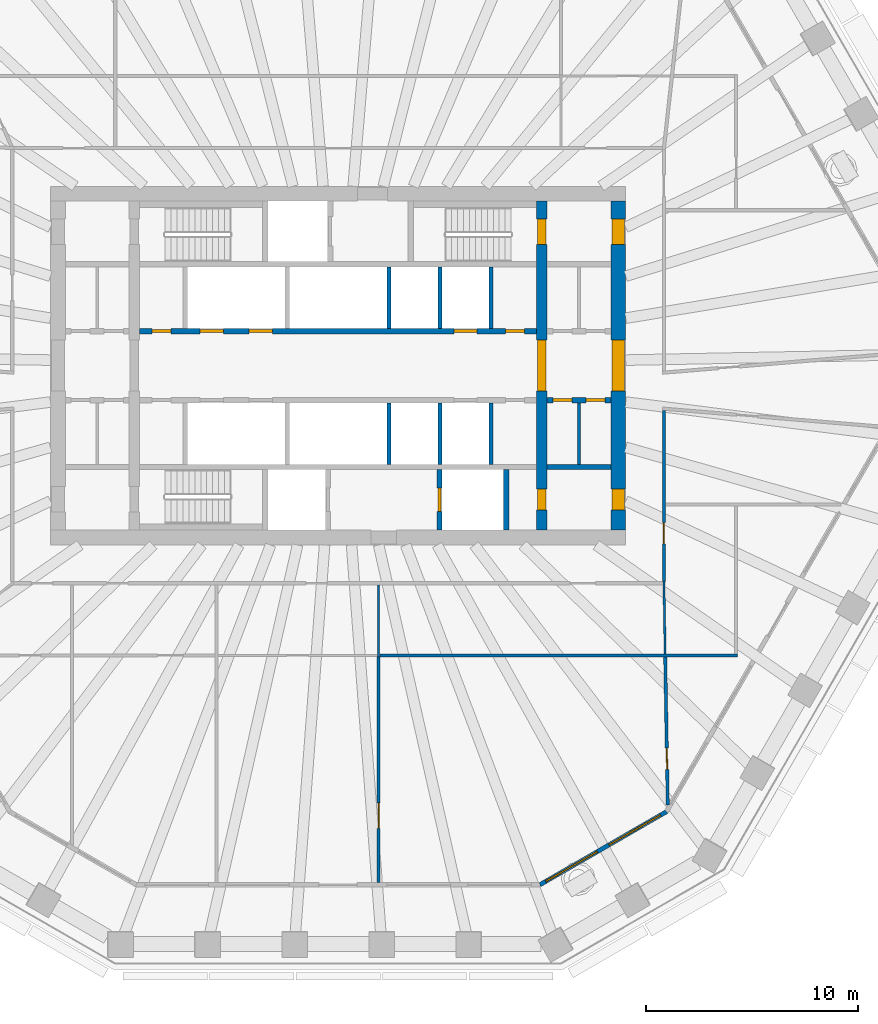
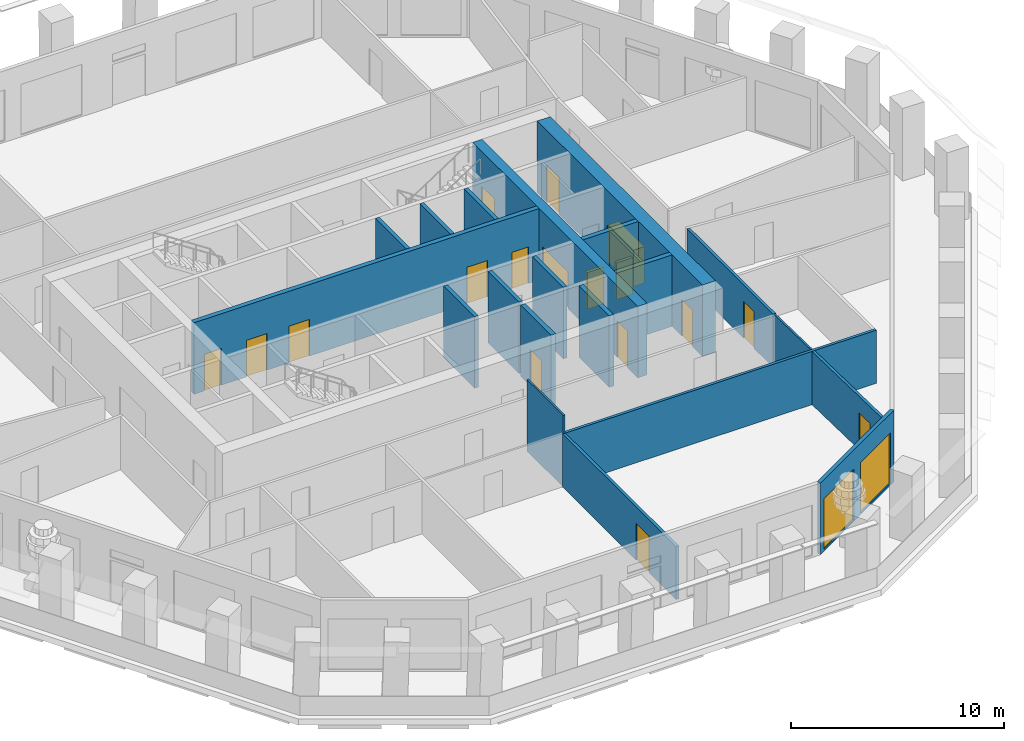
# One storey, part 5 of 12: 21 walls, 17 doors, 2 windows, 19 openings.
"""IFC4 building model written with IfcOpenShell, lengths in metres."""

from ifc_helpers import new_model, si_unit, direction, frame, frame_2d, origin, place, context, subcontext, project, spatial, polyline, rectangle, outline, extrude, material, layer, layer_set, type_object, element, fill, save


model = new_model("IFC4")

# Units and contexts
model_context = context("Model", 3, precision=1e-05, world=origin(), true_north=direction((0.0, 1.0)))
body_context = subcontext(model_context, "Body", "Model", "MODEL_VIEW")
ifc_project = project(units=[si_unit("LENGTHUNIT", "METRE"), si_unit("AREAUNIT", "SQUARE_METRE"), si_unit("VOLUMEUNIT", "CUBIC_METRE"), si_unit("PLANEANGLEUNIT", "RADIAN"), si_unit("MASSUNIT", "GRAM", prefix="KILO")], contexts=[model_context])

# Site, building, storey
site_placement = place(None, origin())
site = spatial("IfcSite", under=ifc_project, at=site_placement, CompositionType="ELEMENT")
building_placement = place(site_placement, origin())
building = spatial("IfcBuilding", under=site, at=building_placement, Name="Frailejon Research Tower", CompositionType="ELEMENT")
storey_placement = place(building_placement, frame((0.0, 0.0, 162.800048828125)))
storey = spatial("IfcBuildingStorey", under=building, at=storey_placement, Name="L35", CompositionType="ELEMENT", Elevation=162.800048828125)

# Wall
ifc_material_1 = material(Name="Plasterboard on steel studs", Category="steel")
ifc_layer_1 = layer(ifc_material_1, 0.125)
ifc_layer_set_1 = layer_set([ifc_layer_1], Name="Core partition 125")
wall_type_1 = type_object("IfcWallType", Name="Core partition 125", PredefinedType="PARTITIONING", material=ifc_layer_set_1)
wall_1_placement = place(storey_placement, frame((11.35009765625, -4.64990234375, 0.0), z_axis=(0.0, 0.0, 1.0), x_axis=(0.0, 1.0, 0.0)))
element("IfcWall", 1, at=wall_1_placement, inside=storey, type_object=wall_type_1, Name="Core partition", PredefinedType="PARTITIONING", context=body_context, shape_type="SweptSolid", body=[
    extrude(rectangle(XDim=2.89990234375, YDim=0.125, at=frame_2d((1.449951171875, 0.0))), origin(), (0.0, 0.0, 1.0), 4.099853515625),
])

# Wall, openings, doors
ifc_material_2 = material(Name="Concrete C60/75", Category="concrete")
ifc_layer_2 = layer(ifc_material_2, 0.5)
ifc_layer_set_2 = layer_set([ifc_layer_2], Name="Core shear wall 500 C60/75")
wall_type_2 = type_object("IfcWallType", Name="Core shear wall 500 C60/75", PredefinedType="SHEAR", material=ifc_layer_set_2)
wall_2_placement = place(storey_placement, frame((9.60009765625, -7.75, 0.0), z_axis=(0.0, 0.0, 1.0), x_axis=(0.0, 1.0, 0.0)))
wall_2 = element("IfcWall", 2, at=wall_2_placement, inside=storey, type_object=wall_type_2, Name="Core shear wall", PredefinedType="SHEAR", context=body_context, shape_type="SweptSolid", body=[
    extrude(rectangle(XDim=15.5, YDim=0.5, at=frame_2d((7.75, 0.0))), origin(), (0.0, 0.0, 1.0), 4.099853515625),
])
opening_1_placement = place(wall_2_placement, frame((6.550048828125, 0.0, 0.0)))
opening_1 = element("IfcOpeningElement", 3, at=opening_1_placement, cuts=wall_2, Name="Opening D2", PredefinedType="OPENING", context=body_context, shape_type="SweptSolid", body=[
    extrude(rectangle(XDim=2.39990234375, YDim=2.10009765625, at=frame_2d((1.199951171875, 1.050048828125))), frame((0.0, 0.260009765625, 0.0), z_axis=(0.0, -1.0, 0.0), x_axis=(1.0, 0.0, 0.0)), (0.0, 0.0, 1.0), 0.52001953125),
])
opening_2_placement = place(wall_2_placement, frame((13.449951171875, 0.0, 0.0)))
opening_2 = element("IfcOpeningElement", 4, at=opening_2_placement, cuts=wall_2, Name="Opening D1", PredefinedType="OPENING", context=body_context, shape_type="SweptSolid", body=[
    extrude(rectangle(XDim=1.199951171875, YDim=2.10009765625, at=frame_2d((0.60009765625, 1.050048828125))), frame((0.0, 0.260009765625, 0.0), z_axis=(0.0, -1.0, 0.0), x_axis=(1.0, 0.0, 0.0)), (0.0, 0.0, 1.0), 0.52001953125),
])
opening_3_placement = place(wall_2_placement, frame((0.949951171875, 0.0, 0.0)))
opening_3 = element("IfcOpeningElement", 5, at=opening_3_placement, cuts=wall_2, Name="Opening D4", PredefinedType="OPENING", context=body_context, shape_type="SweptSolid", body=[
    extrude(rectangle(XDim=1.0, YDim=2.10009765625, at=frame_2d((0.5, 1.050048828125))), frame((0.0, 0.260009765625, 0.0), z_axis=(0.0, -1.0, 0.0), x_axis=(1.0, 0.0, 0.0)), (0.0, 0.0, 1.0), 0.52001953125),
])
ifc_material_3 = material(Name="Steel", Category="steel")
door_type_1 = type_object("IfcDoorType", Name="Lobby double door", OperationType="DOUBLE_DOOR_SINGLE_SWING", PredefinedType="DOOR", material=ifc_material_3)
door_1_placement = place(opening_1_placement, origin())
door_1 = element("IfcDoor", 6, at=door_1_placement, inside=storey, type_object=door_type_1, Name="Lobby door", OperationType="DOUBLE_DOOR_SINGLE_SWING", OverallHeight=2.10009765625, OverallWidth=2.39990234375, PredefinedType="DOOR", context=body_context, shape_type="SweptSolid", body=[
    extrude(rectangle(XDim=2.39990234375, YDim=2.10009765625, at=frame_2d((1.199951171875, 1.050048828125))), frame((0.0, 0.199951171875, 0.0), z_axis=(0.0, -1.0, 0.0), x_axis=(1.0, 0.0, 0.0)), (0.0, 0.0, 1.0), 0.39990234375),
])
fill(opening_1, door_1)
ifc_material_4 = material(Name="Steel", Category="steel")
door_type_2 = type_object("IfcDoorType", Name="Service door", OperationType="SINGLE_SWING_LEFT", PredefinedType="DOOR", material=ifc_material_4)
door_2_placement = place(opening_3_placement, origin())
door_2 = element("IfcDoor", 7, at=door_2_placement, inside=storey, type_object=door_type_2, Name="Riser door", OperationType="SINGLE_SWING_LEFT", OverallHeight=2.10009765625, OverallWidth=1.0, PredefinedType="DOOR", context=body_context, shape_type="SweptSolid", body=[
    extrude(rectangle(XDim=1.0, YDim=2.10009765625, at=frame_2d((0.5, 1.050048828125))), frame((0.0, 0.199951171875, 0.0), z_axis=(0.0, -1.0, 0.0), x_axis=(1.0, 0.0, 0.0)), (0.0, 0.0, 1.0), 0.39990234375),
])
fill(opening_3, door_2)
ifc_material_5 = material(Name="Steel", Category="steel")
door_type_3 = type_object("IfcDoorType", Name="Stair door", OperationType="SINGLE_SWING_LEFT", PredefinedType="DOOR", material=ifc_material_5)
door_3_placement = place(opening_2_placement, origin())
door_3 = element("IfcDoor", 8, at=door_3_placement, inside=storey, type_object=door_type_3, Name="Stair door ST3", OperationType="SINGLE_SWING_LEFT", OverallHeight=2.10009765625, OverallWidth=1.199951171875, PredefinedType="DOOR", context=body_context, shape_type="SweptSolid", body=[
    extrude(rectangle(XDim=1.199951171875, YDim=2.10009765625, at=frame_2d((0.60009765625, 1.050048828125))), frame((0.0, 0.199951171875, 0.0), z_axis=(0.0, -1.0, 0.0), x_axis=(1.0, 0.0, 0.0)), (0.0, 0.0, 1.0), 0.39990234375),
])
fill(opening_2, door_3)

ifc_material_6 = material(Name="Concrete C60/75", Category="concrete")
ifc_layer_3 = layer(ifc_material_6, 0.699951171875)
ifc_layer_set_3 = layer_set([ifc_layer_3], Name="Core shear wall 700 C60/75")
wall_type_3 = type_object("IfcWallType", Name="Core shear wall 700 C60/75", PredefinedType="SHEAR", material=ifc_layer_set_3)
wall_3_placement = place(storey_placement, frame((13.199951171875, -7.75, 0.0), z_axis=(0.0, 0.0, 1.0), x_axis=(0.0, 1.0, 0.0)))
wall_3 = element("IfcWall", 9, at=wall_3_placement, inside=storey, type_object=wall_type_3, Name="Core shear wall", PredefinedType="SHEAR", context=body_context, shape_type="SweptSolid", body=[
    extrude(rectangle(XDim=15.5, YDim=0.699951171875, at=frame_2d((7.75, 0.0))), origin(), (0.0, 0.0, 1.0), 4.099853515625),
])
opening_4_placement = place(wall_3_placement, frame((6.550048828125, 0.0, 0.0)))
opening_4 = element("IfcOpeningElement", 10, at=opening_4_placement, cuts=wall_3, Name="Opening D2", PredefinedType="OPENING", context=body_context, shape_type="SweptSolid", body=[
    extrude(rectangle(XDim=2.39990234375, YDim=2.10009765625, at=frame_2d((1.199951171875, 1.050048828125))), frame((0.0, 0.35986328125, 0.0), z_axis=(0.0, -1.0, 0.0), x_axis=(1.0, 0.0, 0.0)), (0.0, 0.0, 1.0), 0.719970703125),
])
opening_5_placement = place(wall_3_placement, frame((13.449951171875, 0.0, 0.0)))
opening_5 = element("IfcOpeningElement", 11, at=opening_5_placement, cuts=wall_3, Name="Opening D7", PredefinedType="OPENING", context=body_context, shape_type="SweptSolid", body=[
    extrude(rectangle(XDim=1.199951171875, YDim=2.10009765625, at=frame_2d((0.60009765625, 1.050048828125))), frame((0.0, 0.35986328125, 0.0), z_axis=(0.0, -1.0, 0.0), x_axis=(1.0, 0.0, 0.0)), (0.0, 0.0, 1.0), 0.719970703125),
])
opening_6_placement = place(wall_3_placement, frame((0.949951171875, 0.0, 0.0)))
opening_6 = element("IfcOpeningElement", 12, at=opening_6_placement, cuts=wall_3, Name="Opening D4", PredefinedType="OPENING", context=body_context, shape_type="SweptSolid", body=[
    extrude(rectangle(XDim=1.0, YDim=2.10009765625, at=frame_2d((0.5, 1.050048828125))), frame((0.0, 0.35986328125, 0.0), z_axis=(0.0, -1.0, 0.0), x_axis=(1.0, 0.0, 0.0)), (0.0, 0.0, 1.0), 0.719970703125),
])
door_4_placement = place(opening_4_placement, origin())
door_4 = element("IfcDoor", 13, at=door_4_placement, inside=storey, type_object=door_type_1, Name="Lobby door", OperationType="DOUBLE_DOOR_SINGLE_SWING", OverallHeight=2.10009765625, OverallWidth=2.39990234375, PredefinedType="DOOR", context=body_context, shape_type="SweptSolid", body=[
    extrude(rectangle(XDim=2.39990234375, YDim=2.10009765625, at=frame_2d((1.199951171875, 1.050048828125))), frame((0.0, 0.300048828125, 0.0), z_axis=(0.0, -1.0, 0.0), x_axis=(1.0, 0.0, 0.0)), (0.0, 0.0, 1.0), 0.60009765625),
])
fill(opening_4, door_4)
door_5_placement = place(opening_6_placement, origin())
door_5 = element("IfcDoor", 14, at=door_5_placement, inside=storey, type_object=door_type_2, Name="Store door", OperationType="SINGLE_SWING_RIGHT", OverallHeight=2.10009765625, OverallWidth=1.0, PredefinedType="DOOR", context=body_context, shape_type="SweptSolid", body=[
    extrude(rectangle(XDim=1.0, YDim=2.10009765625, at=frame_2d((0.5, 1.050048828125))), frame((0.0, 0.300048828125, 0.0), z_axis=(0.0, -1.0, 0.0), x_axis=(1.0, 0.0, 0.0)), (0.0, 0.0, 1.0), 0.60009765625),
])
fill(opening_6, door_5)
ifc_material_7 = material(Name="Steel", Category="steel")
door_type_4 = type_object("IfcDoorType", Name="Stair exit door", OperationType="SINGLE_SWING_LEFT", PredefinedType="DOOR", material=ifc_material_7)
door_6_placement = place(opening_5_placement, origin())
door_6 = element("IfcDoor", 15, at=door_6_placement, inside=storey, type_object=door_type_4, Name="Stair exit door ST3", OperationType="SINGLE_SWING_RIGHT", OverallHeight=2.10009765625, OverallWidth=1.199951171875, PredefinedType="DOOR", context=body_context, shape_type="SweptSolid", body=[
    extrude(rectangle(XDim=1.199951171875, YDim=2.10009765625, at=frame_2d((0.60009765625, 1.050048828125))), frame((0.0, 0.300048828125, 0.0), z_axis=(0.0, -1.0, 0.0), x_axis=(1.0, 0.0, 0.0)), (0.0, 0.0, 1.0), 0.60009765625),
])
fill(opening_5, door_6)

# Wall, opening, door
ifc_material_8 = material(Name="Gypsum board and masonry partition", Category="masonry")
ifc_layer_4 = layer(ifc_material_8, 0.14990234375)
ifc_layer_set_4 = layer_set([ifc_layer_4], Name="Corridor wall EI 60, gypsum on steel studs 150")
wall_type_4 = type_object("IfcWallType", Name="Corridor wall EI 60, gypsum on steel studs 150", PredefinedType="PARTITIONING", material=ifc_layer_set_4)
wall_4_placement = place(storey_placement, frame((15.35009765625, -10.175048828125, 0.0), z_axis=(0.0, 0.0, 1.0), x_axis=(0.0, 1.0, 0.0)))
wall_4 = element("IfcWall", 16, at=wall_4_placement, inside=storey, type_object=wall_type_4, Name="T:IW:L35:001", PredefinedType="PARTITIONING", context=body_context, shape_type="SweptSolid", body=[
    extrude(rectangle(XDim=8.071044921875, YDim=0.14990234375, at=frame_2d((4.03564453125, 0.0))), origin(), (0.0, 0.0, 1.0), 3.050048828125),
])
opening_7_placement = place(wall_4_placement, frame((1.777587890625, 0.0, 0.0)))
opening_7 = element("IfcOpeningElement", 17, at=opening_7_placement, cuts=wall_4, Name="Opening D1778", PredefinedType="OPENING", context=body_context, shape_type="SweptSolid", body=[
    extrude(rectangle(XDim=1.0, YDim=2.10009765625, at=frame_2d((0.5, 1.050048828125))), frame((0.0, 0.0849609375, 0.0), z_axis=(0.0, -1.0, 0.0), x_axis=(1.0, 0.0, 0.0)), (0.0, 0.0, 1.0), 0.169921875),
])
ifc_material_9 = material(Name="Timber door leaf", Category="wood")
door_type_5 = type_object("IfcDoorType", Name="Door single leaf, timber, steel frame 1000", OperationType="NOTDEFINED", PredefinedType="DOOR", material=ifc_material_9)
door_7_placement = place(opening_7_placement, origin())
door_7 = element("IfcDoor", 18, at=door_7_placement, inside=storey, type_object=door_type_5, Name="D1778", OperationType="SINGLE_SWING_RIGHT", OverallHeight=2.10009765625, OverallWidth=1.0, PredefinedType="DOOR", context=body_context, shape_type="SweptSolid", body=[
    extrude(rectangle(XDim=1.0, YDim=2.10009765625, at=frame_2d((0.5, 1.050048828125))), frame((0.0, 0.02490234375, 0.0), z_axis=(0.0, -1.0, 0.0), x_axis=(1.0, 0.0, 0.0)), (0.0, 0.0, 1.0), 0.050048828125),
])
fill(opening_7, door_7)

# Wall
ifc_material_10 = material(Name="Gypsum board and masonry partition", Category="masonry")
ifc_layer_5 = layer(ifc_material_10, 0.14990234375)
ifc_layer_set_5 = layer_set([ifc_layer_5], Name="Laboratory partition, blockwork 150")
wall_type_5 = type_object("IfcWallType", Name="Laboratory partition, blockwork 150", PredefinedType="PARTITIONING", material=ifc_layer_set_5)
wall_5_placement = place(storey_placement, frame((1.982421875, -13.64990234375, 0.0), z_axis=(0.0, 0.0, 1.0), x_axis=(1.0, 0.0, 0.0)))
element("IfcWall", 19, at=wall_5_placement, inside=storey, type_object=wall_type_5, Name="T:IW:L35:023", PredefinedType="PARTITIONING", context=body_context, shape_type="SweptSolid", body=[
    extrude(rectangle(XDim=16.842529296875, YDim=0.14990234375, at=frame_2d((8.42138671875, 0.0))), origin(), (0.0, 0.0, 1.0), 3.050048828125),
])

# Wall, opening, door
wall_6_placement = place(storey_placement, frame((1.907470703125, -24.35302734375, 0.0), z_axis=(0.0, 0.0, 1.0), x_axis=(0.0, 1.0, 0.0)))
wall_6 = element("IfcWall", 20, at=wall_6_placement, inside=storey, type_object=wall_type_5, Name="T:IW:L35:027", PredefinedType="PARTITIONING", context=body_context, shape_type="SweptSolid", body=[
    extrude(rectangle(XDim=10.653076171875, YDim=0.14990234375, at=frame_2d((5.32666015625, 0.0))), origin(), (0.0, 0.0, 1.0), 3.050048828125),
])
opening_8_placement = place(wall_6_placement, frame((2.55078125, 0.0, 0.0)))
opening_8 = element("IfcOpeningElement", 21, at=opening_8_placement, cuts=wall_6, Name="Opening D1775", PredefinedType="OPENING", context=body_context, shape_type="SweptSolid", body=[
    extrude(rectangle(XDim=1.199951171875, YDim=2.10009765625, at=frame_2d((0.60009765625, 1.050048828125))), frame((0.0, 0.0849609375, 0.0), z_axis=(0.0, -1.0, 0.0), x_axis=(1.0, 0.0, 0.0)), (0.0, 0.0, 1.0), 0.169921875),
])
ifc_material_11 = material(Name="Timber door leaf", Category="wood")
door_type_6 = type_object("IfcDoorType", Name="Door laboratory, timber, vision panel 1200", OperationType="NOTDEFINED", PredefinedType="DOOR", material=ifc_material_11)
door_8_placement = place(opening_8_placement, origin())
door_8 = element("IfcDoor", 22, at=door_8_placement, inside=storey, type_object=door_type_6, Name="D1775", OperationType="DOUBLE_DOOR_SINGLE_SWING", OverallHeight=2.10009765625, OverallWidth=1.199951171875, PredefinedType="DOOR", context=body_context, shape_type="SweptSolid", body=[
    extrude(rectangle(XDim=1.199951171875, YDim=2.10009765625, at=frame_2d((0.60009765625, 1.050048828125))), frame((0.0, 0.02490234375, 0.0), z_axis=(0.0, -1.0, 0.0), x_axis=(1.0, 0.0, 0.0)), (0.0, 0.0, 1.0), 0.050048828125),
])
fill(opening_8, door_8)

wall_7_placement = place(storey_placement, frame((15.409912109375, -13.72509765625, 0.0), z_axis=(0.0, 0.0, 1.0), x_axis=(0.017287070569, -0.999850567431, 0.0)))
wall_7 = element("IfcWall", 23, at=wall_7_placement, inside=storey, type_object=wall_type_5, Name="T:IW:L35:028", PredefinedType="PARTITIONING", context=body_context, shape_type="SweptSolid", body=[
    extrude(rectangle(XDim=6.9765625, YDim=0.14990234375, at=frame_2d((3.48828125, 0.0))), origin(), (0.0, 0.0, 1.0), 3.050048828125),
])
opening_9_placement = place(wall_7_placement, frame((4.288818359375, 0.0, 0.0)))
opening_9 = element("IfcOpeningElement", 24, at=opening_9_placement, cuts=wall_7, Name="Opening D1777", PredefinedType="OPENING", context=body_context, shape_type="SweptSolid", body=[
    extrude(rectangle(XDim=1.0, YDim=2.10009765625, at=frame_2d((0.5, 1.050048828125))), frame((0.0, 0.0849609375, 0.0), z_axis=(0.0, -1.0, 0.0), x_axis=(1.0, 0.0, 0.0)), (0.0, 0.0, 1.0), 0.169921875),
])
ifc_material_12 = material(Name="Timber door leaf", Category="wood")
door_type_7 = type_object("IfcDoorType", Name="Door laboratory, timber, vision panel 1000", OperationType="NOTDEFINED", PredefinedType="DOOR", material=ifc_material_12)
door_9_placement = place(opening_9_placement, origin())
door_9 = element("IfcDoor", 25, at=door_9_placement, inside=storey, type_object=door_type_7, Name="D1777", OperationType="SINGLE_SWING_LEFT", OverallHeight=2.10009765625, OverallWidth=1.0, PredefinedType="DOOR", context=body_context, shape_type="SweptSolid", body=[
    extrude(rectangle(XDim=1.0, YDim=2.10009765625, at=frame_2d((0.5, 1.050048828125))), frame((0.0, 0.02490234375, 0.0), z_axis=(0.0, -1.0, 0.0), x_axis=(1.0, 0.0, 0.0)), (0.0, 0.0, 1.0), 0.050048828125),
])
fill(opening_9, door_9)

# Walls
ifc_material_13 = material(Name="Gypsum board and masonry partition", Category="masonry")
ifc_layer_6 = layer(ifc_material_13, 0.10009765625)
ifc_layer_set_6 = layer_set([ifc_layer_6], Name="Partition, gypsum on steel studs 100")
wall_type_6 = type_object("IfcWallType", Name="Partition, gypsum on steel studs 100", PredefinedType="PARTITIONING", material=ifc_layer_set_6)
wall_8_placement = place(storey_placement, frame((1.907470703125, -13.72509765625, 0.0), z_axis=(0.0, 0.0, 1.0), x_axis=(0.0, 1.0, 0.0)))
element("IfcWall", 26, at=wall_8_placement, inside=storey, type_object=wall_type_6, Name="T:IW:L35:034", PredefinedType="PARTITIONING", context=body_context, shape_type="SweptSolid", body=[
    extrude(rectangle(XDim=3.400146484375, YDim=0.10009765625, at=frame_2d((1.7001953125, 0.0))), origin(), (0.0, 0.0, 1.0), 4.099853515625),
])
wall_9_placement = place(storey_placement, frame((15.3486328125, -10.175048828125, 0.0), z_axis=(0.0, 0.0, 1.0), x_axis=(0.017303168149, -0.999850288979, 0.0)))
element("IfcWall", 27, at=wall_9_placement, inside=storey, type_object=wall_type_6, Name="T:IW:L35:035", PredefinedType="PARTITIONING", context=body_context, shape_type="SweptSolid", body=[
    extrude(rectangle(XDim=3.400390625, YDim=0.10009765625, at=frame_2d((1.7001953125, 0.0))), origin(), (0.0, 0.0, 1.0), 3.050048828125),
])
ifc_material_14 = material(Name="Concrete C60/75", Category="concrete")
ifc_layer_7 = layer(ifc_material_14, 0.199951171875)
ifc_layer_set_7 = layer_set([ifc_layer_7], Name="Shaft wall 200 C60/75")
wall_type_7 = type_object("IfcWallType", Name="Shaft wall 200 C60/75", PredefinedType="SOLIDWALL", material=ifc_layer_set_7)
for number, where, z_axis, x_axis, name in (
    (28, (2.39990234375, 1.75, 0.0), (0.0, 0.0, 1.0), (0.0, 1.0, 0.0), "Shaft wall"),
    (29, (4.800048828125, 1.75, 0.0), (0.0, 0.0, 1.0), (0.0, 1.0, 0.0), "Shaft wall"),
    (30, (7.199951171875, 1.75, 0.0), (0.0, 0.0, 1.0), (0.0, 1.0, 0.0), "Shaft wall"),
    (31, (2.39990234375, -4.64990234375, 0.0), (0.0, 0.0, 1.0), (0.0, 1.0, 0.0), "Shaft wall"),
    (32, (4.800048828125, -4.64990234375, 0.0), (0.0, 0.0, 1.0), (0.0, 1.0, 0.0), "Shaft wall"),
    (33, (7.199951171875, -4.64990234375, 0.0), (0.0, 0.0, 1.0), (0.0, 1.0, 0.0), "Shaft wall"),
):
    element("IfcWall", number, at=place(storey_placement, frame(where, z_axis=z_axis, x_axis=x_axis)), inside=storey, type_object=wall_type_7, Name=name, PredefinedType="SOLIDWALL", context=body_context, shape_type="SweptSolid", body=[
        extrude(rectangle(XDim=2.89990234375, YDim=0.199951171875, at=frame_2d((1.449951171875, 0.0))), origin(), (0.0, 0.0, 1.0), 4.099853515625),
    ])

# Wall, openings, doors
ifc_material_15 = material(Name="Concrete C60/75", Category="concrete")
ifc_layer_8 = layer(ifc_material_15, 0.25)
ifc_layer_set_8 = layer_set([ifc_layer_8], Name="Shaft wall 250 C60/75")
wall_type_8 = type_object("IfcWallType", Name="Shaft wall 250 C60/75", PredefinedType="SOLIDWALL", material=ifc_layer_set_8)
wall_10_placement = place(storey_placement, frame((-9.35009765625, 1.625, 0.0), z_axis=(0.0, 0.0, 1.0), x_axis=(1.0, 0.0, 0.0)))
wall_10 = element("IfcWall", 34, at=wall_10_placement, inside=storey, type_object=wall_type_8, Name="Shaft wall", PredefinedType="SOLIDWALL", context=body_context, shape_type="SweptSolid", body=[
    extrude(rectangle(XDim=18.7001953125, YDim=0.25, at=frame_2d((9.35009765625, 0.0))), origin(), (0.0, 0.0, 1.0), 4.099853515625),
])
opening_10_placement = place(wall_10_placement, frame((2.85009765625, 0.0, 0.0)))
opening_10 = element("IfcOpeningElement", 35, at=opening_10_placement, cuts=wall_10, Name="Opening LD", PredefinedType="OPENING", context=body_context, shape_type="SweptSolid", body=[
    extrude(rectangle(XDim=1.10009765625, YDim=2.10009765625, at=frame_2d((0.550048828125, 1.050048828125))), frame((0.0, 0.135009765625, 0.0), z_axis=(0.0, -1.0, 0.0), x_axis=(1.0, 0.0, 0.0)), (0.0, 0.0, 1.0), 0.27001953125),
])
opening_11_placement = place(wall_10_placement, frame((5.14990234375, 0.0, 0.0)))
opening_11 = element("IfcOpeningElement", 36, at=opening_11_placement, cuts=wall_10, Name="Opening LD", PredefinedType="OPENING", context=body_context, shape_type="SweptSolid", body=[
    extrude(rectangle(XDim=1.10009765625, YDim=2.10009765625, at=frame_2d((0.550048828125, 1.050048828125))), frame((0.0, 0.135009765625, 0.0), z_axis=(0.0, -1.0, 0.0), x_axis=(1.0, 0.0, 0.0)), (0.0, 0.0, 1.0), 0.27001953125),
])
opening_12_placement = place(wall_10_placement, frame((14.800048828125, 0.0, 0.0)))
opening_12 = element("IfcOpeningElement", 37, at=opening_12_placement, cuts=wall_10, Name="Opening LD", PredefinedType="OPENING", context=body_context, shape_type="SweptSolid", body=[
    extrude(rectangle(XDim=1.10009765625, YDim=2.10009765625, at=frame_2d((0.550048828125, 1.050048828125))), frame((0.0, 0.135009765625, 0.0), z_axis=(0.0, -1.0, 0.0), x_axis=(1.0, 0.0, 0.0)), (0.0, 0.0, 1.0), 0.27001953125),
])
opening_13_placement = place(wall_10_placement, frame((0.574951171875, 0.0, 0.0)))
opening_13 = element("IfcOpeningElement", 38, at=opening_13_placement, cuts=wall_10, Name="Opening D8", PredefinedType="OPENING", context=body_context, shape_type="SweptSolid", body=[
    extrude(rectangle(XDim=0.89990234375, YDim=2.10009765625, at=frame_2d((0.449951171875, 1.050048828125))), frame((0.0, 0.135009765625, 0.0), z_axis=(0.0, -1.0, 0.0), x_axis=(1.0, 0.0, 0.0)), (0.0, 0.0, 1.0), 0.27001953125),
])
opening_14_placement = place(wall_10_placement, frame((17.22509765625, 0.0, 0.0)))
opening_14 = element("IfcOpeningElement", 39, at=opening_14_placement, cuts=wall_10, Name="Opening D8", PredefinedType="OPENING", context=body_context, shape_type="SweptSolid", body=[
    extrude(rectangle(XDim=0.89990234375, YDim=2.10009765625, at=frame_2d((0.449951171875, 1.050048828125))), frame((0.0, 0.135009765625, 0.0), z_axis=(0.0, -1.0, 0.0), x_axis=(1.0, 0.0, 0.0)), (0.0, 0.0, 1.0), 0.27001953125),
])
ifc_material_16 = material(Name="Steel", Category="steel")
door_type_8 = type_object("IfcDoorType", Name="Core room door", OperationType="SINGLE_SWING_LEFT", PredefinedType="DOOR", material=ifc_material_16)
door_10_placement = place(opening_13_placement, origin())
door_10 = element("IfcDoor", 40, at=door_10_placement, inside=storey, type_object=door_type_8, Name="Room door", OperationType="SINGLE_SWING_LEFT", OverallHeight=2.10009765625, OverallWidth=0.89990234375, PredefinedType="DOOR", context=body_context, shape_type="SweptSolid", body=[
    extrude(rectangle(XDim=0.89990234375, YDim=2.10009765625, at=frame_2d((0.449951171875, 1.050048828125))), frame((0.0, 0.074951171875, 0.0), z_axis=(0.0, -1.0, 0.0), x_axis=(1.0, 0.0, 0.0)), (0.0, 0.0, 1.0), 0.14990234375),
])
fill(opening_13, door_10)
door_11_placement = place(opening_14_placement, origin())
door_11 = element("IfcDoor", 41, at=door_11_placement, inside=storey, type_object=door_type_8, Name="Room door", OperationType="SINGLE_SWING_RIGHT", OverallHeight=2.10009765625, OverallWidth=0.89990234375, PredefinedType="DOOR", context=body_context, shape_type="SweptSolid", body=[
    extrude(rectangle(XDim=0.89990234375, YDim=2.10009765625, at=frame_2d((0.449951171875, 1.050048828125))), frame((0.0, 0.074951171875, 0.0), z_axis=(0.0, -1.0, 0.0), x_axis=(1.0, 0.0, 0.0)), (0.0, 0.0, 1.0), 0.14990234375),
])
fill(opening_14, door_11)
ifc_material_17 = material(Name="Steel", Category="steel")
door_type_9 = type_object("IfcDoorType", Name="Lift landing door", OperationType="DOUBLE_DOOR_SLIDING", PredefinedType="DOOR", material=ifc_material_17)
door_12_placement = place(opening_10_placement, origin())
door_12 = element("IfcDoor", 42, at=door_12_placement, inside=storey, type_object=door_type_9, Name="Lift landing door", OperationType="DOUBLE_DOOR_SLIDING", OverallHeight=2.10009765625, OverallWidth=1.10009765625, PredefinedType="DOOR", context=body_context, shape_type="SweptSolid", body=[
    extrude(rectangle(XDim=1.10009765625, YDim=2.10009765625, at=frame_2d((0.550048828125, 1.050048828125))), frame((0.0, 0.074951171875, 0.0), z_axis=(0.0, -1.0, 0.0), x_axis=(1.0, 0.0, 0.0)), (0.0, 0.0, 1.0), 0.14990234375),
])
fill(opening_10, door_12)
door_13_placement = place(opening_11_placement, origin())
door_13 = element("IfcDoor", 43, at=door_13_placement, inside=storey, type_object=door_type_9, Name="Lift landing door", OperationType="DOUBLE_DOOR_SLIDING", OverallHeight=2.10009765625, OverallWidth=1.10009765625, PredefinedType="DOOR", context=body_context, shape_type="SweptSolid", body=[
    extrude(rectangle(XDim=1.10009765625, YDim=2.10009765625, at=frame_2d((0.550048828125, 1.050048828125))), frame((0.0, 0.074951171875, 0.0), z_axis=(0.0, -1.0, 0.0), x_axis=(1.0, 0.0, 0.0)), (0.0, 0.0, 1.0), 0.14990234375),
])
fill(opening_11, door_13)
door_14_placement = place(opening_12_placement, origin())
door_14 = element("IfcDoor", 44, at=door_14_placement, inside=storey, type_object=door_type_9, Name="Lift landing door", OperationType="DOUBLE_DOOR_SLIDING", OverallHeight=2.10009765625, OverallWidth=1.10009765625, PredefinedType="DOOR", context=body_context, shape_type="SweptSolid", body=[
    extrude(rectangle(XDim=1.10009765625, YDim=2.10009765625, at=frame_2d((0.550048828125, 1.050048828125))), frame((0.0, 0.074951171875, 0.0), z_axis=(0.0, -1.0, 0.0), x_axis=(1.0, 0.0, 0.0)), (0.0, 0.0, 1.0), 0.14990234375),
])
fill(opening_12, door_14)

wall_11_placement = place(storey_placement, frame((9.85009765625, -1.625, 0.0), z_axis=(0.0, 0.0, 1.0), x_axis=(1.0, 0.0, 0.0)))
wall_11 = element("IfcWall", 45, at=wall_11_placement, inside=storey, type_object=wall_type_8, Name="Shaft wall", PredefinedType="SOLIDWALL", context=body_context, shape_type="SweptSolid", body=[
    extrude(rectangle(XDim=3.0, YDim=0.25, at=frame_2d((1.5, 0.0))), origin(), (0.0, 0.0, 1.0), 4.099853515625),
])
opening_15_placement = place(wall_11_placement, frame((0.268798828125, 0.0, 0.0)))
opening_15 = element("IfcOpeningElement", 46, at=opening_15_placement, cuts=wall_11, Name="Opening D8", PredefinedType="OPENING", context=body_context, shape_type="SweptSolid", body=[
    extrude(rectangle(XDim=0.89990234375, YDim=2.10009765625, at=frame_2d((0.449951171875, 1.050048828125))), frame((0.0, 0.135009765625, 0.0), z_axis=(0.0, -1.0, 0.0), x_axis=(1.0, 0.0, 0.0)), (0.0, 0.0, 1.0), 0.27001953125),
])
opening_16_placement = place(wall_11_placement, frame((1.831298828125, 0.0, 0.0)))
opening_16 = element("IfcOpeningElement", 47, at=opening_16_placement, cuts=wall_11, Name="Opening D8", PredefinedType="OPENING", context=body_context, shape_type="SweptSolid", body=[
    extrude(rectangle(XDim=0.89990234375, YDim=2.10009765625, at=frame_2d((0.449951171875, 1.050048828125))), frame((0.0, 0.135009765625, 0.0), z_axis=(0.0, -1.0, 0.0), x_axis=(1.0, 0.0, 0.0)), (0.0, 0.0, 1.0), 0.27001953125),
])
door_15_placement = place(opening_15_placement, origin())
door_15 = element("IfcDoor", 48, at=door_15_placement, inside=storey, type_object=door_type_8, Name="Room door", OperationType="SINGLE_SWING_LEFT", OverallHeight=2.10009765625, OverallWidth=0.89990234375, PredefinedType="DOOR", context=body_context, shape_type="SweptSolid", body=[
    extrude(rectangle(XDim=0.89990234375, YDim=2.10009765625, at=frame_2d((0.449951171875, 1.050048828125))), frame((0.0, 0.074951171875, 0.0), z_axis=(0.0, -1.0, 0.0), x_axis=(1.0, 0.0, 0.0)), (0.0, 0.0, 1.0), 0.14990234375),
])
fill(opening_15, door_15)
door_16_placement = place(opening_16_placement, origin())
door_16 = element("IfcDoor", 49, at=door_16_placement, inside=storey, type_object=door_type_8, Name="Room door", OperationType="SINGLE_SWING_RIGHT", OverallHeight=2.10009765625, OverallWidth=0.89990234375, PredefinedType="DOOR", context=body_context, shape_type="SweptSolid", body=[
    extrude(rectangle(XDim=0.89990234375, YDim=2.10009765625, at=frame_2d((0.449951171875, 1.050048828125))), frame((0.0, 0.074951171875, 0.0), z_axis=(0.0, -1.0, 0.0), x_axis=(1.0, 0.0, 0.0)), (0.0, 0.0, 1.0), 0.14990234375),
])
fill(opening_16, door_16)

# Wall
wall_12_placement = place(storey_placement, frame((9.85009765625, -4.77490234375, 0.0), z_axis=(0.0, 0.0, 1.0), x_axis=(1.0, 0.0, 0.0)))
element("IfcWall", 50, at=wall_12_placement, inside=storey, type_object=wall_type_8, Name="Shaft wall", PredefinedType="SOLIDWALL", context=body_context, shape_type="SweptSolid", body=[
    extrude(rectangle(XDim=3.0, YDim=0.25, at=frame_2d((1.5, 0.0))), origin(), (0.0, 0.0, 1.0), 4.099853515625),
])

# Wall, opening, door
wall_13_placement = place(storey_placement, frame((4.77490234375, -7.75, 0.0), z_axis=(0.0, 0.0, 1.0), x_axis=(0.0, 1.0, 0.0)))
wall_13 = element("IfcWall", 51, at=wall_13_placement, inside=storey, type_object=wall_type_8, Name="Shaft wall", PredefinedType="SOLIDWALL", context=body_context, shape_type="SweptSolid", body=[
    extrude(rectangle(XDim=2.85009765625, YDim=0.25, at=frame_2d((1.425048828125, 0.0))), origin(), (0.0, 0.0, 1.0), 4.099853515625),
])
opening_17_placement = place(wall_13_placement, frame((0.875, 0.0, 0.0)))
opening_17 = element("IfcOpeningElement", 52, at=opening_17_placement, cuts=wall_13, Name="Opening LD", PredefinedType="OPENING", context=body_context, shape_type="SweptSolid", body=[
    extrude(rectangle(XDim=1.10009765625, YDim=2.10009765625, at=frame_2d((0.550048828125, 1.050048828125))), frame((0.0, 0.135009765625, 0.0), z_axis=(0.0, -1.0, 0.0), x_axis=(1.0, 0.0, 0.0)), (0.0, 0.0, 1.0), 0.27001953125),
])
door_17_placement = place(opening_17_placement, origin())
door_17 = element("IfcDoor", 53, at=door_17_placement, inside=storey, type_object=door_type_9, Name="Lift landing door", OperationType="DOUBLE_DOOR_SLIDING", OverallHeight=2.10009765625, OverallWidth=1.10009765625, PredefinedType="DOOR", context=body_context, shape_type="SweptSolid", body=[
    extrude(rectangle(XDim=1.10009765625, YDim=2.10009765625, at=frame_2d((0.550048828125, 1.050048828125))), frame((0.0, 0.074951171875, 0.0), z_axis=(0.0, -1.0, 0.0), x_axis=(1.0, 0.0, 0.0)), (0.0, 0.0, 1.0), 0.14990234375),
])
fill(opening_17, door_17)

# Wall
wall_14_placement = place(storey_placement, frame((7.925048828125, -7.75, 0.0), z_axis=(0.0, 0.0, 1.0), x_axis=(0.0, 1.0, 0.0)))
element("IfcWall", 54, at=wall_14_placement, inside=storey, type_object=wall_type_8, Name="Shaft wall", PredefinedType="SOLIDWALL", context=body_context, shape_type="SweptSolid", body=[
    extrude(rectangle(XDim=2.85009765625, YDim=0.25, at=frame_2d((1.425048828125, 0.0))), origin(), (0.0, 0.0, 1.0), 4.099853515625),
])

# Wall, openings, windows
ifc_material_18 = material(Name="Concrete C40/50 precast window wall panel", Category="concrete")
ifc_layer_9 = layer(ifc_material_18, 0.199951171875)
ifc_layer_set_9 = layer_set([ifc_layer_9], Name="Window wall 200")
wall_type_9 = type_object("IfcWallType", Name="Window wall 200", PredefinedType="SOLIDWALL", material=ifc_layer_set_9)
wall_15_placement = place(storey_placement, frame((9.51025390625, -24.453125, 0.0), z_axis=(0.0, 0.0, 1.0), x_axis=(0.866029458321, 0.49999297727, 0.0)))
wall_15 = element("IfcWall", 55, at=wall_15_placement, inside=storey, type_object=wall_type_9, Name="Exterior wall L35", PredefinedType="SOLIDWALL", context=body_context, shape_type="SweptSolid", body=[
    extrude(outline(polyline([(-0.02685546875, -0.10009765625), (1.1279296875, -0.10009765625), (2.282470703125, -0.10009765625), (3.437255859375, -0.10009765625), (4.592041015625, -0.10009765625), (5.74658203125, -0.10009765625), (6.9013671875, -0.10009765625), (6.84765625, 0.10009765625), (5.7109375, 0.10009765625), (4.573974609375, 0.10009765625), (3.437255859375, 0.10009765625), (2.300537109375, 0.10009765625), (1.16357421875, 0.10009765625), (0.02685546875, 0.10009765625), (-0.02685546875, -0.10009765625)])), origin(), (0.0, 0.0, 1.0), 4.099853515625),
])
opening_18_placement = place(wall_15_placement, frame((0.318603515625, 0.0, 0.10009765625)))
opening_18 = element("IfcOpeningElement", 56, at=opening_18_placement, cuts=wall_15, Name="Opening W3", PredefinedType="OPENING", context=body_context, shape_type="SweptSolid", body=[
    extrude(rectangle(XDim=2.800048828125, YDim=2.89990234375, at=frame_2d((1.39990234375, 1.449951171875))), frame((0.0, 0.10986328125, 0.0), z_axis=(0.0, -1.0, 0.0), x_axis=(1.0, 0.0, 0.0)), (0.0, 0.0, 1.0), 0.219970703125),
])
opening_19_placement = place(wall_15_placement, frame((3.756103515625, 0.0, 0.10009765625)))
opening_19 = element("IfcOpeningElement", 57, at=opening_19_placement, cuts=wall_15, Name="Opening W3", PredefinedType="OPENING", context=body_context, shape_type="SweptSolid", body=[
    extrude(rectangle(XDim=2.800048828125, YDim=2.89990234375, at=frame_2d((1.39990234375, 1.449951171875))), frame((0.0, 0.10986328125, 0.0), z_axis=(0.0, -1.0, 0.0), x_axis=(1.0, 0.0, 0.0)), (0.0, 0.0, 1.0), 0.219970703125),
])
ifc_material_19 = material(Name="Aluminium framed double glazing", Category="aluminium")
window_type = type_object("IfcWindowType", Name="Window 2800x2900", PartitioningType="SINGLE_PANEL", PredefinedType="WINDOW", material=ifc_material_19)
window_1_placement = place(opening_18_placement, origin())
window_1 = element("IfcWindow", 58, at=window_1_placement, inside=storey, type_object=window_type, Name="Window L35", OverallHeight=2.89990234375, OverallWidth=2.800048828125, PartitioningType="SINGLE_PANEL", PredefinedType="WINDOW", context=body_context, shape_type="SweptSolid", body=[
    extrude(rectangle(XDim=2.800048828125, YDim=2.89990234375, at=frame_2d((1.39990234375, 1.449951171875))), frame((0.0, 0.030029296875, 0.0), z_axis=(0.0, -1.0, 0.0), x_axis=(1.0, 0.0, 0.0)), (0.0, 0.0, 1.0), 0.06005859375),
])
fill(opening_18, window_1)
window_2_placement = place(opening_19_placement, origin())
window_2 = element("IfcWindow", 59, at=window_2_placement, inside=storey, type_object=window_type, Name="Window L35", OverallHeight=2.89990234375, OverallWidth=2.800048828125, PartitioningType="SINGLE_PANEL", PredefinedType="WINDOW", context=body_context, shape_type="SweptSolid", body=[
    extrude(rectangle(XDim=2.800048828125, YDim=2.89990234375, at=frame_2d((1.39990234375, 1.449951171875))), frame((0.0, 0.030029296875, 0.0), z_axis=(0.0, -1.0, 0.0), x_axis=(1.0, 0.0, 0.0)), (0.0, 0.0, 1.0), 0.06005859375),
])
fill(opening_19, window_2)

save(model, "model.ifc")
